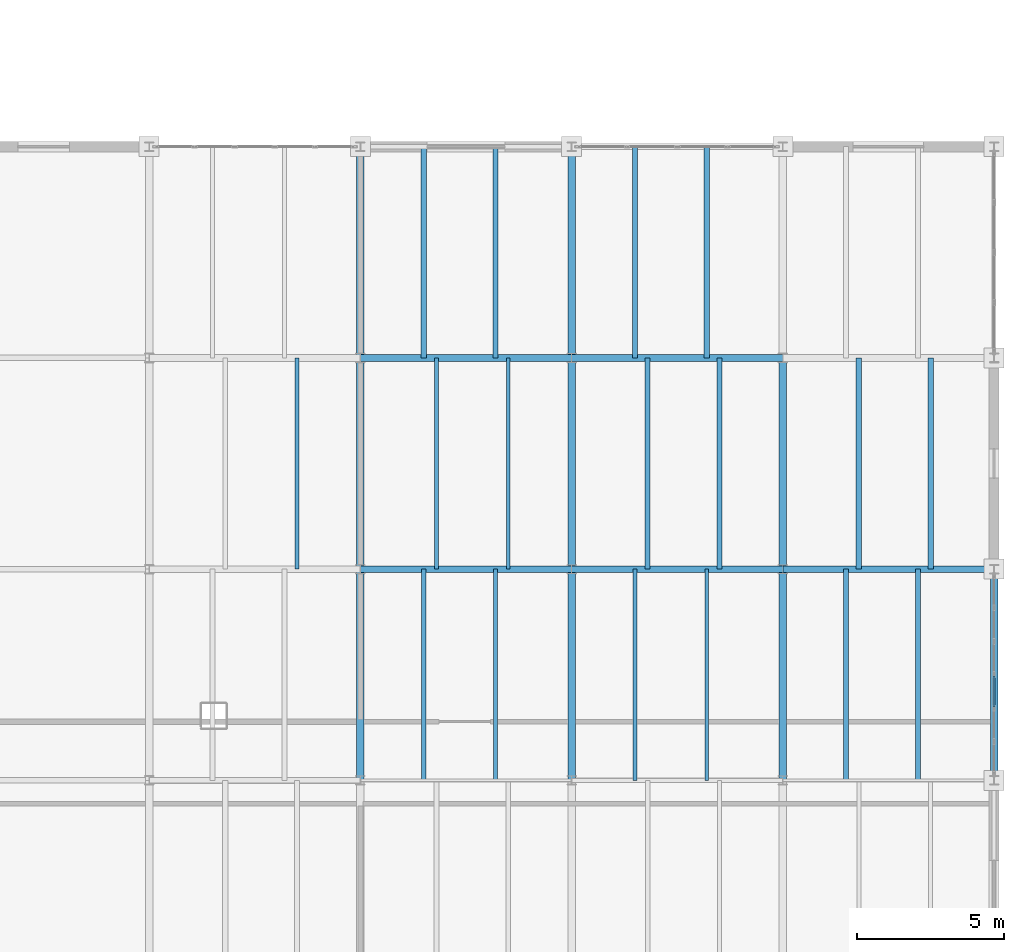
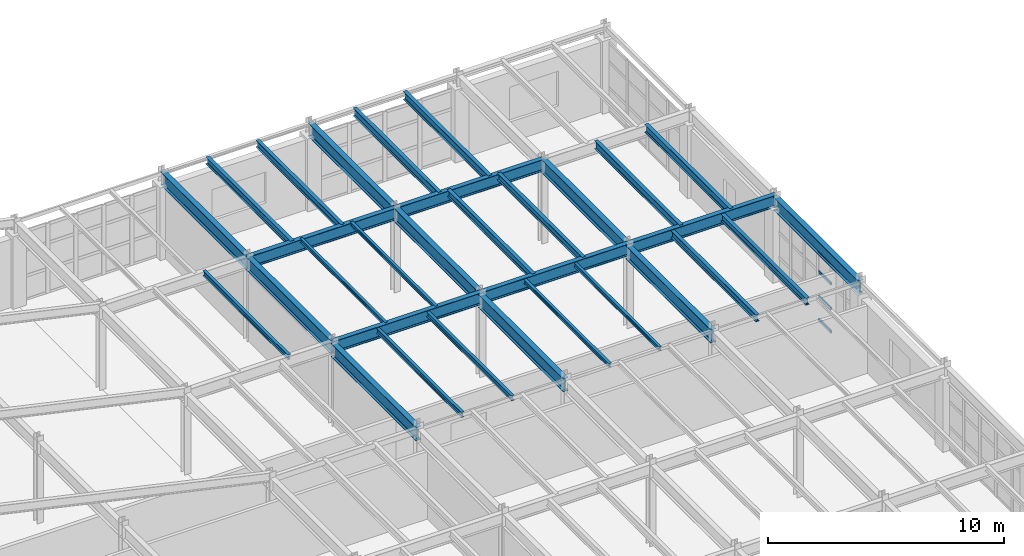
# One storey, part 98 of 137: 31 beams, 4 members, 1 element without a shape of its own.
"""IFC4 building model written with IfcOpenShell, lengths in metres."""

from ifc_helpers import new_model, si_unit, direction, frame, origin, origin_2d, place, context, subcontext, project, spatial, hollow_rectangle, i_section, extrude, material, layer, layer_set, material_profile, profile_set, type_object, element, aggregate, save


model = new_model("IFC4")

# Units and contexts
model_context = context("Model", 3, precision=1e-05, world=origin(), true_north=direction((0.0, 1.0)))
body_context = subcontext(model_context, "Body", "Model", "MODEL_VIEW")
ifc_project = project(units=[si_unit("LENGTHUNIT", "METRE"), si_unit("AREAUNIT", "SQUARE_METRE"), si_unit("VOLUMEUNIT", "CUBIC_METRE"), si_unit("PLANEANGLEUNIT", "RADIAN"), si_unit("MASSUNIT", "GRAM", prefix="KILO")], contexts=[model_context])

# Site, building, storey
site_placement = place(None, origin())
site = spatial("IfcSite", under=ifc_project, at=site_placement, CompositionType="ELEMENT")
building_placement = place(site_placement, origin())
building = spatial("IfcBuilding", under=site, at=building_placement, Name="Kemerveld Promenade Tramway Depot", CompositionType="ELEMENT")
storey_placement = place(building_placement, frame((0.0, 0.0, 5.39990234375)))
storey = spatial("IfcBuildingStorey", under=building, at=storey_placement, Name="L01", CompositionType="ELEMENT", Elevation=5.39990234375)

# Beams
ifc_material_1 = material(Name="Steel S355", Category="steel")
ifc_material_profile_1 = material_profile(ifc_material_1, i_section(OverallWidth=0.25439453125, OverallDepth=0.6875, WebThickness=0.01318359375, FlangeThickness=0.02099609375, FilletRadius=0.01513671875, at=origin_2d()), Name="686x254x152 UB")
ifc_profile_set_1 = profile_set([ifc_material_profile_1], Name="Steel S355")
beam_type_1 = type_object("IfcBeamType", Name="BM-G03", PredefinedType="BEAM", material=ifc_profile_set_1)
for number, where, z_axis, x_axis, name in (
    (1, (194.39990234375, 28.800048828125, 3.856201171875), (0.0, 1.0, 0.0), (-1.0, 0.0, 0.0), "BMY-L01-28-E-F"),
    (2, (194.39990234375, 36.0, 3.976318359375), (0.0, 1.0, 0.0), (-1.0, 0.0, 0.0), "BMY-L01-28-F-G"),
    (3, (194.39990234375, 43.199951171875, 3.976318359375), (0.0, 1.0, 0.0), (-1.0, 0.0, 0.0), "BMY-L01-28-G-H"),
    (4, (201.60009765625, 28.800048828125, 3.856201171875), (0.0, 1.0, 0.0), (-1.0, 0.0, 0.0), "BMY-L01-29-E-F"),
    (5, (201.60009765625, 36.0, 3.976318359375), (0.0, 1.0, 0.0), (-1.0, 0.0, 0.0), "BMY-L01-29-F-G"),
    (6, (201.60009765625, 43.199951171875, 3.976318359375), (0.0, 1.0, 0.0), (-1.0, 0.0, 0.0), "BMY-L01-29-G-H"),
    (7, (208.800048828125, 28.800048828125, 3.856201171875), (0.0, 1.0, 0.0), (-1.0, 0.0, 0.0), "BMY-L01-30-E-F"),
    (8, (208.800048828125, 36.0, 3.976318359375), (0.0, 1.0, 0.0), (-1.0, 0.0, 0.0), "BMY-L01-30-F-G"),
    (9, (216.0, 28.800048828125, 3.856201171875), (0.0, 1.0, 0.0), (-1.0, 0.0, 0.0), "BMY-L01-31-E-F"),
):
    element("IfcBeam", number, at=place(storey_placement, frame(where, z_axis=z_axis, x_axis=x_axis)), inside=storey, type_object=beam_type_1, Name=name, PredefinedType="BEAM", context=body_context, shape_type="SweptSolid", body=[
        extrude(i_section(OverallWidth=0.25439453125, OverallDepth=0.6875, WebThickness=0.01318359375, FlangeThickness=0.02099609375, FilletRadius=0.01513671875, at=origin_2d()), origin(), (0.0, 0.0, 1.0), 7.199951171875),
    ])
ifc_material_profile_2 = material_profile(ifc_material_1, i_section(OverallWidth=0.22900390625, OverallDepth=0.6123046875, WebThickness=0.011962890625, FlangeThickness=0.01953125, FilletRadius=0.0126953125, at=origin_2d()), Name="610x229x125 UB")
ifc_profile_set_2 = profile_set([ifc_material_profile_2], Name="Steel S355")
beam_type_2 = type_object("IfcBeamType", Name="BM-G04", PredefinedType="BEAM", material=ifc_profile_set_2)
beam_1_placement = place(storey_placement, frame((194.39990234375, 36.0, 4.013916015625), z_axis=(1.0, 0.0, 0.0), x_axis=(0.0, 1.0, 0.0)))
element("IfcBeam", 10, at=beam_1_placement, inside=storey, type_object=beam_type_2, Name="BMX-L01-28-29-F", PredefinedType="BEAM", context=body_context, shape_type="SweptSolid", body=[
    extrude(i_section(OverallWidth=0.22900390625, OverallDepth=0.6123046875, WebThickness=0.011962890625, FlangeThickness=0.01953125, FilletRadius=0.0126953125, at=origin_2d()), origin(), (0.0, 0.0, 1.0), 7.2001953125),
])
for number, where, z_axis, x_axis, name in (
    (11, (201.60009765625, 36.0, 4.013916015625), (1.0, 0.0, 0.0), (0.0, 1.0, 0.0), "BMX-L01-29-30-F"),
    (12, (208.800048828125, 36.0, 4.013916015625), (1.0, 0.0, 0.0), (0.0, 1.0, 0.0), "BMX-L01-30-31-F"),
):
    element("IfcBeam", number, at=place(storey_placement, frame(where, z_axis=z_axis, x_axis=x_axis)), inside=storey, type_object=beam_type_2, Name=name, PredefinedType="BEAM", context=body_context, shape_type="SweptSolid", body=[
        extrude(i_section(OverallWidth=0.22900390625, OverallDepth=0.6123046875, WebThickness=0.011962890625, FlangeThickness=0.01953125, FilletRadius=0.0126953125, at=origin_2d()), origin(), (0.0, 0.0, 1.0), 7.199951171875),
    ])
beam_2_placement = place(storey_placement, frame((194.39990234375, 43.199951171875, 4.013916015625), z_axis=(1.0, 0.0, 0.0), x_axis=(0.0, 1.0, 0.0)))
element("IfcBeam", 13, at=beam_2_placement, inside=storey, type_object=beam_type_2, Name="BMX-L01-28-29-G", PredefinedType="BEAM", context=body_context, shape_type="SweptSolid", body=[
    extrude(i_section(OverallWidth=0.22900390625, OverallDepth=0.6123046875, WebThickness=0.011962890625, FlangeThickness=0.01953125, FilletRadius=0.0126953125, at=origin_2d()), origin(), (0.0, 0.0, 1.0), 7.2001953125),
])
beam_3_placement = place(storey_placement, frame((201.60009765625, 43.199951171875, 4.013916015625), z_axis=(1.0, 0.0, 0.0), x_axis=(0.0, 1.0, 0.0)))
element("IfcBeam", 14, at=beam_3_placement, inside=storey, type_object=beam_type_2, Name="BMX-L01-29-30-G", PredefinedType="BEAM", context=body_context, shape_type="SweptSolid", body=[
    extrude(i_section(OverallWidth=0.22900390625, OverallDepth=0.6123046875, WebThickness=0.011962890625, FlangeThickness=0.01953125, FilletRadius=0.0126953125, at=origin_2d()), origin(), (0.0, 0.0, 1.0), 7.199951171875),
])
ifc_material_profile_3 = material_profile(ifc_material_1, i_section(OverallWidth=0.146484375, OverallDepth=0.256103515625, WebThickness=0.00634765625, FlangeThickness=0.010986328125, FilletRadius=0.007568359375, at=origin_2d()), Name="254x146x37 UB")
ifc_profile_set_3 = profile_set([ifc_material_profile_3], Name="Steel S355")
beam_type_3 = type_object("IfcBeamType", Name="BM-J02", PredefinedType="JOIST", material=ifc_profile_set_3)
for number, where, z_axis, x_axis, name in (
    (15, (192.239990234375, 36.0, 4.192138671875), (0.0, 1.0, 0.0), (-1.0, 0.0, 0.0), "JST-L01-27-F-2"),
    (16, (196.56005859375, 28.800048828125, 4.072021484375), (0.0, 1.0, 0.0), (-1.0, 0.0, 0.0), "JST-L01-28-E-1"),
    (17, (199.008056640625, 28.800048828125, 4.072021484375), (0.0, 1.0, 0.0), (-1.0, 0.0, 0.0), "JST-L01-28-E-2"),
):
    element("IfcBeam", number, at=place(storey_placement, frame(where, z_axis=z_axis, x_axis=x_axis)), inside=storey, type_object=beam_type_3, Name=name, PredefinedType="JOIST", context=body_context, shape_type="SweptSolid", body=[
        extrude(i_section(OverallWidth=0.146484375, OverallDepth=0.256103515625, WebThickness=0.00634765625, FlangeThickness=0.010986328125, FilletRadius=0.007568359375, at=origin_2d()), origin(), (0.0, 0.0, 1.0), 7.199951171875),
    ])
ifc_material_profile_4 = material_profile(ifc_material_1, i_section(OverallWidth=0.13330078125, OverallDepth=0.203125, WebThickness=0.005615234375, FlangeThickness=0.0078125, FilletRadius=0.007568359375, at=origin_2d()), Name="203x133x25 UB")
ifc_profile_set_4 = profile_set([ifc_material_profile_4], Name="Steel S355")
beam_type_4 = type_object("IfcBeamType", Name="BM-J03", PredefinedType="JOIST", material=ifc_profile_set_4)
for number, where, z_axis, x_axis, name in (
    (18, (196.991943359375, 36.0, 4.218505859375), (0.0, 1.0, 0.0), (-1.0, 0.0, 0.0), "JST-L01-28-F-1"),
    (19, (199.43994140625, 36.0, 4.218505859375), (0.0, 1.0, 0.0), (-1.0, 0.0, 0.0), "JST-L01-28-F-2"),
    (20, (203.760009765625, 28.800048828125, 4.098388671875), (0.0, 1.0, 0.0), (-1.0, 0.0, 0.0), "JST-L01-29-E-1"),
    (21, (206.2080078125, 28.800048828125, 4.098388671875), (0.0, 1.0, 0.0), (-1.0, 0.0, 0.0), "JST-L01-29-E-2"),
):
    element("IfcBeam", number, at=place(storey_placement, frame(where, z_axis=z_axis, x_axis=x_axis)), inside=storey, type_object=beam_type_4, Name=name, PredefinedType="JOIST", context=body_context, shape_type="SweptSolid", body=[
        extrude(i_section(OverallWidth=0.13330078125, OverallDepth=0.203125, WebThickness=0.005615234375, FlangeThickness=0.0078125, FilletRadius=0.007568359375, at=origin_2d()), origin(), (0.0, 0.0, 1.0), 7.199951171875),
    ])
ifc_material_profile_5 = material_profile(ifc_material_1, i_section(OverallWidth=0.172119140625, OverallDepth=0.35791015625, WebThickness=0.008056640625, FlangeThickness=0.012939453125, FilletRadius=0.01025390625, at=origin_2d()), Name="356x171x57 UB")
ifc_profile_set_5 = profile_set([ifc_material_profile_5], Name="Steel S355")
beam_type_5 = type_object("IfcBeamType", Name="BM-J04", PredefinedType="JOIST", material=ifc_profile_set_5)
for number, where, z_axis, x_axis, name in (
    (22, (196.56005859375, 43.199951171875, 4.14111328125), (0.0, 1.0, 0.0), (-1.0, 0.0, 0.0), "JST-L01-28-G-1"),
    (23, (199.008056640625, 43.199951171875, 4.14111328125), (0.0, 1.0, 0.0), (-1.0, 0.0, 0.0), "JST-L01-28-G-2"),
    (24, (204.19189453125, 36.0, 4.14111328125), (0.0, 1.0, 0.0), (-1.0, 0.0, 0.0), "JST-L01-29-F-1"),
    (25, (206.639892578125, 36.0, 4.14111328125), (0.0, 1.0, 0.0), (-1.0, 0.0, 0.0), "JST-L01-29-F-2"),
    (26, (210.9599609375, 28.800048828125, 4.02099609375), (0.0, 1.0, 0.0), (-1.0, 0.0, 0.0), "JST-L01-30-E-1"),
    (27, (213.407958984375, 28.800048828125, 4.02099609375), (0.0, 1.0, 0.0), (-1.0, 0.0, 0.0), "JST-L01-30-E-2"),
):
    element("IfcBeam", number, at=place(storey_placement, frame(where, z_axis=z_axis, x_axis=x_axis)), inside=storey, type_object=beam_type_5, Name=name, PredefinedType="JOIST", context=body_context, shape_type="SweptSolid", body=[
        extrude(i_section(OverallWidth=0.172119140625, OverallDepth=0.35791015625, WebThickness=0.008056640625, FlangeThickness=0.012939453125, FilletRadius=0.01025390625, at=origin_2d()), origin(), (0.0, 0.0, 1.0), 7.199951171875),
    ])
ifc_material_profile_6 = material_profile(ifc_material_1, i_section(OverallWidth=0.1787109375, OverallDepth=0.409423828125, WebThickness=0.0087890625, FlangeThickness=0.014404296875, FilletRadius=0.01025390625, at=origin_2d()), Name="406x178x67 UB")
ifc_profile_set_6 = profile_set([ifc_material_profile_6], Name="Steel S355")
beam_type_6 = type_object("IfcBeamType", Name="BM-J05", PredefinedType="JOIST", material=ifc_profile_set_6)
for number, where, z_axis, x_axis, name in (
    (28, (203.760009765625, 43.199951171875, 4.115478515625), (0.0, 1.0, 0.0), (-1.0, 0.0, 0.0), "JST-L01-29-G-1"),
    (29, (206.2080078125, 43.199951171875, 4.115478515625), (0.0, 1.0, 0.0), (-1.0, 0.0, 0.0), "JST-L01-29-G-2"),
    (30, (211.39208984375, 36.0, 4.115478515625), (0.0, 1.0, 0.0), (-1.0, 0.0, 0.0), "JST-L01-30-F-1"),
    (31, (213.840087890625, 36.0, 4.115478515625), (0.0, 1.0, 0.0), (-1.0, 0.0, 0.0), "JST-L01-30-F-2"),
):
    element("IfcBeam", number, at=place(storey_placement, frame(where, z_axis=z_axis, x_axis=x_axis)), inside=storey, type_object=beam_type_6, Name=name, PredefinedType="JOIST", context=body_context, shape_type="SweptSolid", body=[
        extrude(i_section(OverallWidth=0.1787109375, OverallDepth=0.409423828125, WebThickness=0.0087890625, FlangeThickness=0.014404296875, FilletRadius=0.01025390625, at=origin_2d()), origin(), (0.0, 0.0, 1.0), 7.199951171875),
    ])

# Curtain wall, members
ifc_material_2 = material(Name="Bronze anodised aluminium and solar glass", Category="aluminium")
ifc_layer = layer(ifc_material_2, 0.199951171875)
ifc_layer_set = layer_set([ifc_layer], Name="CW-SYS-06")
curtain_wall_type = type_object("IfcCurtainWallType", Name="CW-SYS-06", PredefinedType="USERDEFINED", material=ifc_layer_set)
curtain_wall_placement = place(storey_placement, origin())
curtain_wall = element("IfcCurtainWall", 32, at=curtain_wall_placement, inside=storey, type_object=curtain_wall_type, Name="CW-L01-V2E-03", ObjectType="GLAZED_CURTAIN_WALL", PredefinedType="USERDEFINED")
ifc_material_3 = material(Name="Bronze anodised aluminium", Category="aluminium")
ifc_material_profile_7 = material_profile(ifc_material_3, hollow_rectangle(XDim=0.06494140625, YDim=0.14990234375, WallThickness=0.00439453125, InnerFilletRadius=0.001953125, OuterFilletRadius=0.00439453125, at=origin_2d()), Name="CW-TRN-150x65")
ifc_profile_set_7 = profile_set([ifc_material_profile_7], Name="Bronze anodised aluminium")
member_type = type_object("IfcMemberType", Name="CW-TRN-B", PredefinedType="USERDEFINED", material=ifc_profile_set_7)
member_1_placement = place(storey_placement, frame((216.0, 32.362548828125, 0.03271484375), z_axis=(0.0, -1.0, 0.0), x_axis=(1.0, 0.0, 0.0)))
member_1 = element("IfcMember", 33, at=member_1_placement, type_object=member_type, Name="CW06 transom 4.1", ObjectType="TRANSOM", PredefinedType="USERDEFINED", context=body_context, shape_type="SweptSolid", body=[
    extrude(hollow_rectangle(XDim=0.06494140625, YDim=0.14990234375, WallThickness=0.00439453125, InnerFilletRadius=0.001953125, OuterFilletRadius=0.00439453125, at=origin_2d()), origin(), (0.0, 0.0, 1.0), 1.06591796875),
])
member_2_placement = place(storey_placement, frame((216.0, 32.362548828125, 1.22216796875), z_axis=(0.0, -1.0, 0.0), x_axis=(1.0, 0.0, 0.0)))
member_2 = element("IfcMember", 34, at=member_2_placement, type_object=member_type, Name="CW06 transom 4.2", ObjectType="TRANSOM", PredefinedType="USERDEFINED", context=body_context, shape_type="SweptSolid", body=[
    extrude(hollow_rectangle(XDim=0.06494140625, YDim=0.14990234375, WallThickness=0.00439453125, InnerFilletRadius=0.001953125, OuterFilletRadius=0.00439453125, at=origin_2d()), origin(), (0.0, 0.0, 1.0), 1.06591796875),
])
member_3_placement = place(storey_placement, frame((216.0, 32.362548828125, 2.51513671875), z_axis=(0.0, -1.0, 0.0), x_axis=(1.0, 0.0, 0.0)))
member_3 = element("IfcMember", 35, at=member_3_placement, type_object=member_type, Name="CW06 transom 4.3", ObjectType="TRANSOM", PredefinedType="USERDEFINED", context=body_context, shape_type="SweptSolid", body=[
    extrude(hollow_rectangle(XDim=0.06494140625, YDim=0.14990234375, WallThickness=0.00439453125, InnerFilletRadius=0.001953125, OuterFilletRadius=0.00439453125, at=origin_2d()), origin(), (0.0, 0.0, 1.0), 1.06591796875),
])
member_4_placement = place(storey_placement, frame((216.0, 32.362548828125, 3.460205078125), z_axis=(0.0, -1.0, 0.0), x_axis=(1.0, 0.0, 0.0)))
member_4 = element("IfcMember", 36, at=member_4_placement, type_object=member_type, Name="CW06 transom 4.4", ObjectType="TRANSOM", PredefinedType="USERDEFINED", context=body_context, shape_type="SweptSolid", body=[
    extrude(hollow_rectangle(XDim=0.06494140625, YDim=0.14990234375, WallThickness=0.00439453125, InnerFilletRadius=0.001953125, OuterFilletRadius=0.00439453125, at=origin_2d()), origin(), (0.0, 0.0, 1.0), 1.06591796875),
])
aggregate(curtain_wall, [member_1, member_2, member_3, member_4])

save(model, "model.ifc")
